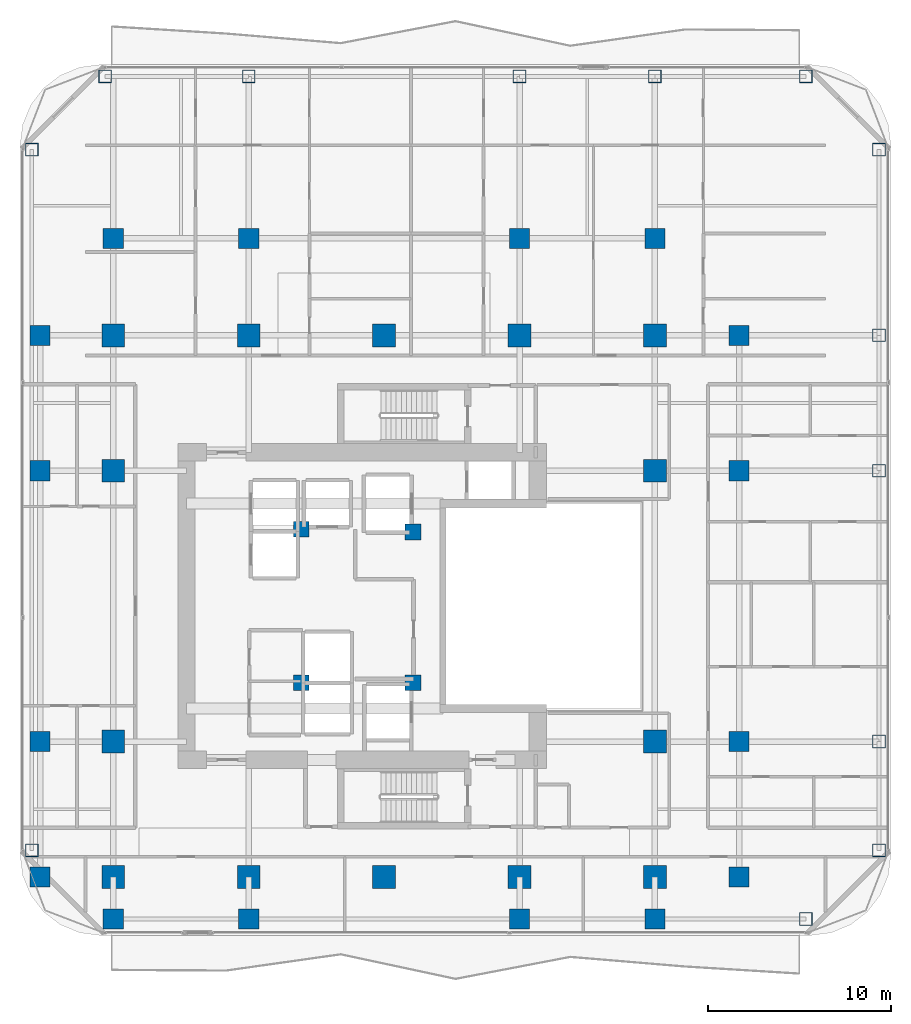
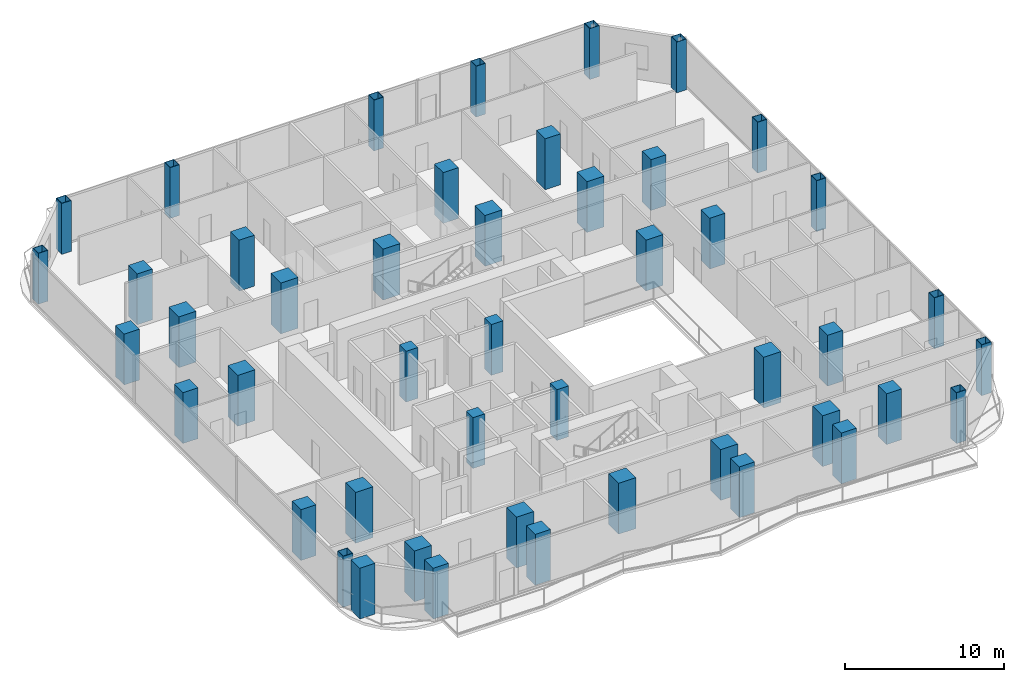
# One storey, part 1 of 27: 47 columns.
"""IFC4 building model written with IfcOpenShell, lengths in metres."""

from ifc_helpers import new_model, si_unit, direction, frame, origin, origin_2d, place, context, subcontext, project, spatial, rectangle, hollow_rectangle, extrude, material, material_profile, profile_set, type_object, element, save


model = new_model("IFC4")

# Units and contexts
model_context = context("Model", 3, precision=1e-05, world=origin(), true_north=direction((0.0, 1.0)))
body_context = subcontext(model_context, "Body", "Model", "MODEL_VIEW")
ifc_project = project(units=[si_unit("LENGTHUNIT", "METRE"), si_unit("AREAUNIT", "SQUARE_METRE"), si_unit("VOLUMEUNIT", "CUBIC_METRE"), si_unit("PLANEANGLEUNIT", "RADIAN"), si_unit("MASSUNIT", "GRAM", prefix="KILO")], contexts=[model_context])

# Site, building, storey
site_placement = place(None, origin())
site = spatial("IfcSite", under=ifc_project, at=site_placement, CompositionType="ELEMENT")
building_placement = place(site_placement, origin())
building = spatial("IfcBuilding", under=site, at=building_placement, Name="Khorvyn Point Tower", CompositionType="ELEMENT")
storey_placement = place(building_placement, frame((0.0, 0.0, 129.0)))
storey = spatial("IfcBuildingStorey", under=building, at=storey_placement, Name="L32", CompositionType="ELEMENT", Elevation=129.0)

# Columns
ifc_material_1 = material(Name="Concrete C40/50", Category="concrete")
ifc_material_profile_1 = material_profile(ifc_material_1, rectangle(XDim=0.85009765625, YDim=0.85009765625, at=origin_2d()))
ifc_profile_set_1 = profile_set([ifc_material_profile_1], Name="Concrete C40/50 RC850x850")
column_type_1 = type_object("IfcColumnType", Name="Concrete C40/50 Column RC850x850", PredefinedType="COLUMN", material=ifc_profile_set_1)
for number, where, z_axis, x_axis, name in (
    (1, (-4.52001953125, -4.199951171875, 0.0), (0.0, 0.0, 1.0), (1.0, 0.0, 0.0), "L32 Crown Core Spine Column 1"),
    (2, (1.580078125, -4.179931640625, 0.0), (0.0, 0.0, 1.0), (1.0, 0.0, 0.0), "L32 Crown Core Spine Column 2"),
    (3, (1.580078125, 4.050048828125, 0.0), (0.0, 0.0, 1.0), (1.0, 0.0, 0.0), "L32 Crown Core Spine Column 3"),
    (4, (-4.52001953125, 4.199951171875, 0.0), (0.0, 0.0, 1.0), (1.0, 0.0, 0.0), "L32 Crown Core Spine Column 4"),
):
    element("IfcColumn", number, at=place(storey_placement, frame(where, z_axis=z_axis, x_axis=x_axis)), inside=storey, type_object=column_type_1, Name=name, PredefinedType="COLUMN", context=body_context, shape_type="SweptSolid", body=[
        extrude(rectangle(XDim=0.85009765625, YDim=0.85009765625, at=origin_2d()), origin(), (0.0, 0.0, 1.0), 3.89990234375),
    ])
ifc_material_2 = material(Name="Concrete C45/55", Category="concrete")
ifc_material_profile_2 = material_profile(ifc_material_2, rectangle(XDim=1.10009765625, YDim=1.10009765625, at=origin_2d()))
ifc_profile_set_2 = profile_set([ifc_material_profile_2], Name="Concrete C45/55 RC1100x1100")
column_type_2 = type_object("IfcColumnType", Name="Concrete C45/55 Column RC1100x1100", PredefinedType="COLUMN", material=ifc_profile_set_2)
for number, where, z_axis, x_axis, name in (
    (5, (-18.800048828125, -14.800048828125, 0.0), (0.0, 0.0, 1.0), (1.0, 0.0, 0.0), "L32 Intermediate Column ICW--14"),
    (6, (-18.800048828125, -7.39990234375, 0.0), (0.0, 0.0, 1.0), (1.0, 0.0, 0.0), "L32 Intermediate Column ICW--7"),
    (7, (-18.800048828125, 7.39990234375, 0.0), (0.0, 0.0, 1.0), (1.0, 0.0, 0.0), "L32 Intermediate Column ICW-7"),
    (8, (-18.800048828125, 14.800048828125, 0.0), (0.0, 0.0, 1.0), (1.0, 0.0, 0.0), "L32 Intermediate Column ICW-14"),
    (9, (19.39990234375, -14.800048828125, 0.0), (0.0, 0.0, 1.0), (1.0, 0.0, 0.0), "L32 Intermediate Column ICE--14"),
    (10, (19.39990234375, -7.39990234375, 0.0), (0.0, 0.0, 1.0), (1.0, 0.0, 0.0), "L32 Intermediate Column ICE--7"),
    (11, (19.39990234375, 7.39990234375, 0.0), (0.0, 0.0, 1.0), (1.0, 0.0, 0.0), "L32 Intermediate Column ICE-7"),
    (12, (19.39990234375, 14.800048828125, 0.0), (0.0, 0.0, 1.0), (1.0, 0.0, 0.0), "L32 Intermediate Column ICE-14"),
    (13, (-14.800048828125, -17.10009765625, 0.0), (0.0, 0.0, 1.0), (1.0, 0.0, 0.0), "L32 Intermediate Column ICS--14"),
    (14, (-7.39990234375, -17.10009765625, 0.0), (0.0, 0.0, 1.0), (1.0, 0.0, 0.0), "L32 Intermediate Column ICS--7"),
    (15, (7.39990234375, -17.10009765625, 0.0), (0.0, 0.0, 1.0), (1.0, 0.0, 0.0), "L32 Intermediate Column ICS-7"),
    (16, (14.800048828125, -17.10009765625, 0.0), (0.0, 0.0, 1.0), (1.0, 0.0, 0.0), "L32 Intermediate Column ICS-14"),
    (17, (-14.800048828125, 20.10009765625, 0.0), (0.0, 0.0, 1.0), (1.0, 0.0, 0.0), "L32 Intermediate Column ICN--14"),
    (18, (-7.39990234375, 20.10009765625, 0.0), (0.0, 0.0, 1.0), (1.0, 0.0, 0.0), "L32 Intermediate Column ICN--7"),
    (19, (7.39990234375, 20.10009765625, 0.0), (0.0, 0.0, 1.0), (1.0, 0.0, 0.0), "L32 Intermediate Column ICN-7"),
    (20, (14.800048828125, 20.10009765625, 0.0), (0.0, 0.0, 1.0), (1.0, 0.0, 0.0), "L32 Intermediate Column ICN-14"),
):
    element("IfcColumn", number, at=place(storey_placement, frame(where, z_axis=z_axis, x_axis=x_axis)), inside=storey, type_object=column_type_2, Name=name, PredefinedType="COLUMN", context=body_context, shape_type="SweptSolid", body=[
        extrude(rectangle(XDim=1.10009765625, YDim=1.10009765625, at=origin_2d()), origin(), (0.0, 0.0, 1.0), 3.89990234375),
    ])
ifc_material_3 = material(Name="Concrete C50/60", Category="concrete")
ifc_material_profile_3 = material_profile(ifc_material_3, rectangle(XDim=1.25, YDim=1.25, at=origin_2d()))
ifc_profile_set_3 = profile_set([ifc_material_profile_3], Name="Concrete C50/60 RC1250x1250")
column_type_3 = type_object("IfcColumnType", Name="Concrete C50/60 Column RC1250x1250", PredefinedType="COLUMN", material=ifc_profile_set_3)
for number, where, z_axis, x_axis, name in (
    (21, (-14.800048828125, -14.800048828125, 0.0), (0.0, 0.0, 1.0), (1.0, 0.0, 0.0), "L32 Mega-Column MC-01"),
    (22, (-7.39990234375, -14.800048828125, 0.0), (0.0, 0.0, 1.0), (1.0, 0.0, 0.0), "L32 Mega-Column MC-02"),
    (23, (0.0, -14.800048828125, 0.0), (0.0, 0.0, 1.0), (1.0, 0.0, 0.0), "L32 Mega-Column MC-03"),
    (24, (7.39990234375, -14.800048828125, 0.0), (0.0, 0.0, 1.0), (1.0, 0.0, 0.0), "L32 Mega-Column MC-04"),
    (25, (14.800048828125, -14.800048828125, 0.0), (0.0, 0.0, 1.0), (1.0, 0.0, 0.0), "L32 Mega-Column MC-05"),
    (26, (-14.800048828125, 14.800048828125, 0.0), (0.0, 0.0, 1.0), (1.0, 0.0, 0.0), "L32 Mega-Column MC-06"),
    (27, (-7.39990234375, 14.800048828125, 0.0), (0.0, 0.0, 1.0), (1.0, 0.0, 0.0), "L32 Mega-Column MC-07"),
    (28, (0.0, 14.800048828125, 0.0), (0.0, 0.0, 1.0), (1.0, 0.0, 0.0), "L32 Mega-Column MC-08"),
    (29, (7.39990234375, 14.800048828125, 0.0), (0.0, 0.0, 1.0), (1.0, 0.0, 0.0), "L32 Mega-Column MC-09"),
    (30, (14.800048828125, 14.800048828125, 0.0), (0.0, 0.0, 1.0), (1.0, 0.0, 0.0), "L32 Mega-Column MC-10"),
    (31, (-14.800048828125, -7.39990234375, 0.0), (0.0, 0.0, 1.0), (1.0, 0.0, 0.0), "L32 Mega-Column MC-11"),
    (32, (-14.800048828125, 7.39990234375, 0.0), (0.0, 0.0, 1.0), (1.0, 0.0, 0.0), "L32 Mega-Column MC-12"),
    (33, (14.800048828125, -7.39990234375, 0.0), (0.0, 0.0, 1.0), (1.0, 0.0, 0.0), "L32 Mega-Column MC-13"),
    (34, (14.800048828125, 7.39990234375, 0.0), (0.0, 0.0, 1.0), (1.0, 0.0, 0.0), "L32 Mega-Column MC-14"),
):
    element("IfcColumn", number, at=place(storey_placement, frame(where, z_axis=z_axis, x_axis=x_axis)), inside=storey, type_object=column_type_3, Name=name, PredefinedType="COLUMN", context=body_context, shape_type="SweptSolid", body=[
        extrude(rectangle(XDim=1.25, YDim=1.25, at=origin_2d()), origin(), (0.0, 0.0, 1.0), 3.89990234375),
    ])
ifc_material_4 = material(Name="Steel S450", Category="steel")
ifc_material_profile_4 = material_profile(ifc_material_4, hollow_rectangle(XDim=0.699951171875, YDim=0.699951171875, WallThickness=0.031982421875, at=origin_2d()))
ifc_profile_set_4 = profile_set([ifc_material_profile_4], Name="Steel S450 BOX700x700x32")
column_type_4 = type_object("IfcColumnType", Name="Steel S450 Structural Column BOX700x700x32", PredefinedType="COLUMN", material=ifc_profile_set_4)
for number, where, z_axis, x_axis, name in (
    (35, (23.050048828125, -17.10009765625, 0.0), (0.0, 0.0, 1.0), (1.0, 0.0, 0.0), "L32 Perimeter Tube Column TC-01"),
    (36, (-15.25, 28.949951171875, 0.0), (0.0, 0.0, 1.0), (1.0, 0.0, 0.0), "L32 Perimeter Tube Column TC-02"),
    (37, (23.050048828125, 28.949951171875, 0.0), (0.0, 0.0, 1.0), (1.0, 0.0, 0.0), "L32 Perimeter Tube Column TC-03"),
    (38, (-19.25, -13.35009765625, 0.0), (0.0, 0.0, 1.0), (1.0, 0.0, 0.0), "L32 Perimeter Tube Column TC-04"),
    (39, (-19.25, 24.949951171875, 0.0), (0.0, 0.0, 1.0), (1.0, 0.0, 0.0), "L32 Perimeter Tube Column TC-05"),
    (40, (27.050048828125, -13.35009765625, 0.0), (0.0, 0.0, 1.0), (1.0, 0.0, 0.0), "L32 Perimeter Tube Column TC-06"),
    (41, (27.050048828125, 24.949951171875, 0.0), (0.0, 0.0, 1.0), (1.0, 0.0, 0.0), "L32 Perimeter Tube Column TC-07"),
    (42, (-7.39990234375, 28.949951171875, 0.0), (0.0, 0.0, 1.0), (1.0, 0.0, 0.0), "L32 Perimeter Tube Column TC-08"),
    (43, (7.39990234375, 28.949951171875, 0.0), (0.0, 0.0, 1.0), (1.0, 0.0, 0.0), "L32 Perimeter Tube Column TC-09"),
    (44, (14.800048828125, 28.949951171875, 0.0), (0.0, 0.0, 1.0), (1.0, 0.0, 0.0), "L32 Perimeter Tube Column TC-10"),
    (45, (27.050048828125, -7.39990234375, 0.0), (0.0, 0.0, 1.0), (1.0, 0.0, 0.0), "L32 Perimeter Tube Column TC-11"),
    (46, (27.050048828125, 7.39990234375, 0.0), (0.0, 0.0, 1.0), (1.0, 0.0, 0.0), "L32 Perimeter Tube Column TC-12"),
    (47, (27.050048828125, 14.800048828125, 0.0), (0.0, 0.0, 1.0), (1.0, 0.0, 0.0), "L32 Perimeter Tube Column TC-13"),
):
    element("IfcColumn", number, at=place(storey_placement, frame(where, z_axis=z_axis, x_axis=x_axis)), inside=storey, type_object=column_type_4, Name=name, PredefinedType="COLUMN", context=body_context, shape_type="SweptSolid", body=[
        extrude(hollow_rectangle(XDim=0.699951171875, YDim=0.699951171875, WallThickness=0.031982421875, at=origin_2d()), origin(), (0.0, 0.0, 1.0), 3.89990234375),
    ])

save(model, "model.ifc")
